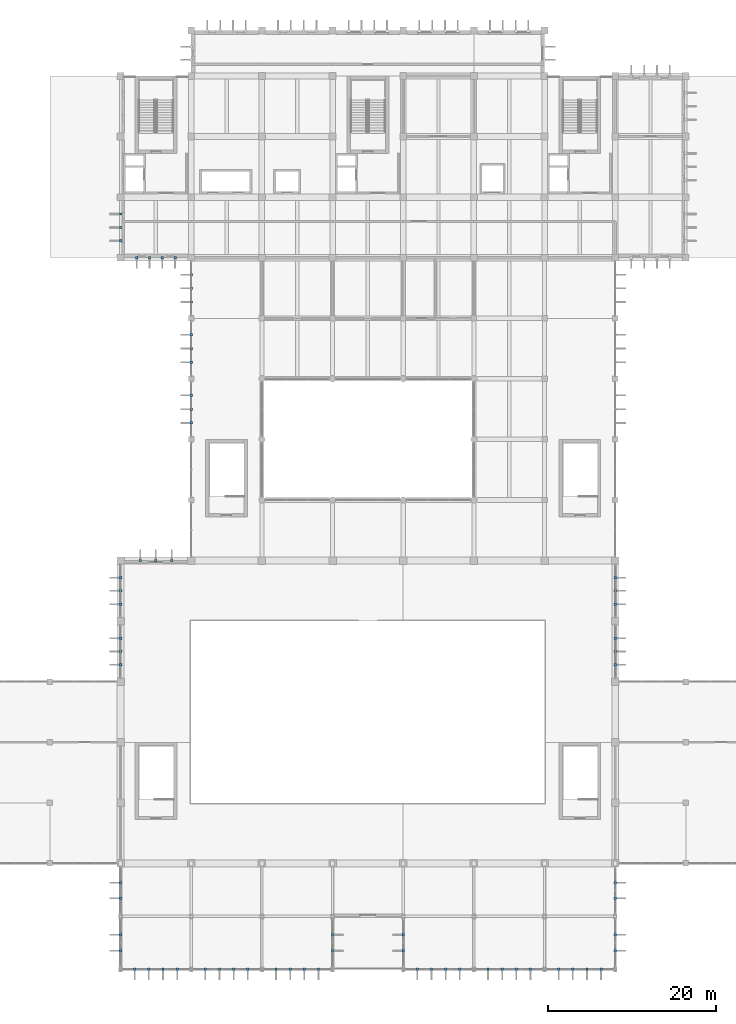
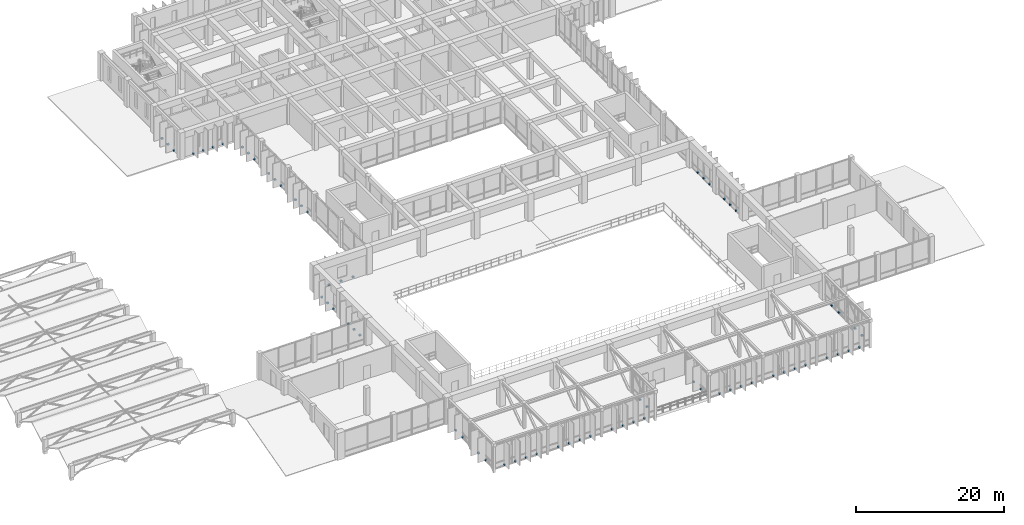
# One storey, part 33 of 40: 67 discrete accessories.
"""IFC4 building model written with IfcOpenShell, lengths in metres."""

from ifc_helpers import new_model, si_unit, direction, frame, origin, origin_2d, place, context, subcontext, project, spatial, rectangle, extrude, material, type_object, element, save


model = new_model("IFC4")

# Units and contexts
model_context = context("Model", 3, precision=1e-05, world=origin(), true_north=direction((0.0, 1.0)))
body_context = subcontext(model_context, "Body", "Model", "MODEL_VIEW")
ifc_project = project(units=[si_unit("LENGTHUNIT", "METRE"), si_unit("AREAUNIT", "SQUARE_METRE"), si_unit("VOLUMEUNIT", "CUBIC_METRE"), si_unit("PLANEANGLEUNIT", "RADIAN"), si_unit("MASSUNIT", "GRAM", prefix="KILO")], contexts=[model_context])

# Site, building, storey
site_placement = place(None, origin())
site = spatial("IfcSite", under=ifc_project, at=site_placement, CompositionType="ELEMENT")
building_placement = place(site_placement, origin())
building = spatial("IfcBuilding", under=site, at=building_placement, Name="Kenerak Square Central Library", CompositionType="ELEMENT")
storey_placement = place(building_placement, frame((0.0, 0.0, 14.39990234375)))
storey = spatial("IfcBuildingStorey", under=building, at=storey_placement, Name="L03", CompositionType="ELEMENT", Elevation=14.39990234375)

# Discrete accessories
ifc_material = material(Name="Steel S355", Category="steel")
discrete_accessory_type = type_object("IfcDiscreteAccessoryType", Name="Solar Fin Structural Cleat Bracket BRK-S355", PredefinedType="BRACKET", material=ifc_material)
for number, where, z_axis, x_axis, name in (
    (1, (58.39990234375, 40.425048828125, 0.0), (0.0, 0.0, 1.0), (0.0, 1.0, 0.0), "Solar Fin Cleat Bracket BRK-01 L03 0210"),
    (2, (58.39990234375, 42.0, 0.0), (0.0, 0.0, 1.0), (0.0, 1.0, 0.0), "Solar Fin Cleat Bracket BRK-01 L03 0211"),
    (3, (58.39990234375, 43.574951171875, 0.0), (0.0, 0.0, 1.0), (0.0, 1.0, 0.0), "Solar Fin Cleat Bracket BRK-01 L03 0212"),
    (4, (58.39990234375, 47.625, 0.0), (0.0, 0.0, 1.0), (0.0, 1.0, 0.0), "Solar Fin Cleat Bracket BRK-01 L03 0213"),
    (5, (58.39990234375, 49.199951171875, 0.0), (0.0, 0.0, 1.0), (0.0, 1.0, 0.0), "Solar Fin Cleat Bracket BRK-01 L03 0214"),
    (6, (58.39990234375, 50.77490234375, 0.0), (0.0, 0.0, 1.0), (0.0, 1.0, 0.0), "Solar Fin Cleat Bracket BRK-01 L03 0215"),
    (7, (60.72509765625, 52.800048828125, 0.0), (0.0, 0.0, 1.0), (1.0, 0.0, 0.0), "Solar Fin Cleat Bracket BRK-01 L03 0216"),
    (8, (62.60009765625, 52.800048828125, 0.0), (0.0, 0.0, 1.0), (1.0, 0.0, 0.0), "Solar Fin Cleat Bracket BRK-01 L03 0217"),
    (9, (64.47509765625, 52.800048828125, 0.0), (0.0, 0.0, 1.0), (1.0, 0.0, 0.0), "Solar Fin Cleat Bracket BRK-01 L03 0218"),
    (10, (66.800048828125, 69.16259765625, 0.0), (0.0, 0.0, 1.0), (0.0, 1.0, 0.0), "Solar Fin Cleat Bracket BRK-01 L03 0219"),
    (11, (66.800048828125, 70.800048828125, 0.0), (0.0, 0.0, 1.0), (0.0, 1.0, 0.0), "Solar Fin Cleat Bracket BRK-01 L03 0220"),
    (12, (66.800048828125, 72.4375, 0.0), (0.0, 0.0, 1.0), (0.0, 1.0, 0.0), "Solar Fin Cleat Bracket BRK-01 L03 0221"),
    (13, (66.800048828125, 76.362548828125, 0.0), (0.0, 0.0, 1.0), (0.0, 1.0, 0.0), "Solar Fin Cleat Bracket BRK-01 L03 0222"),
    (14, (66.800048828125, 78.0, 0.0), (0.0, 0.0, 1.0), (0.0, 1.0, 0.0), "Solar Fin Cleat Bracket BRK-01 L03 0223"),
    (15, (66.800048828125, 79.637451171875, 0.0), (0.0, 0.0, 1.0), (0.0, 1.0, 0.0), "Solar Fin Cleat Bracket BRK-01 L03 0224"),
    (16, (66.800048828125, 83.543701171875, 0.0), (0.0, 0.0, 1.0), (0.0, 1.0, 0.0), "Solar Fin Cleat Bracket BRK-01 L03 0225"),
    (17, (66.800048828125, 85.16259765625, 0.0), (0.0, 0.0, 1.0), (0.0, 1.0, 0.0), "Solar Fin Cleat Bracket BRK-01 L03 0226"),
    (18, (66.800048828125, 86.78125, 0.0), (0.0, 0.0, 1.0), (0.0, 1.0, 0.0), "Solar Fin Cleat Bracket BRK-01 L03 0227"),
    (19, (64.8798828125, 88.800048828125, 0.0), (0.0, 0.0, 1.0), (-1.0, 0.0, 0.0), "Solar Fin Cleat Bracket BRK-01 L03 0228"),
    (20, (63.360107421875, 88.800048828125, 0.0), (0.0, 0.0, 1.0), (-1.0, 0.0, 0.0), "Solar Fin Cleat Bracket BRK-01 L03 0229"),
    (21, (61.840087890625, 88.800048828125, 0.0), (0.0, 0.0, 1.0), (-1.0, 0.0, 0.0), "Solar Fin Cleat Bracket BRK-01 L03 0230"),
    (22, (60.320068359375, 88.800048828125, 0.0), (0.0, 0.0, 1.0), (-1.0, 0.0, 0.0), "Solar Fin Cleat Bracket BRK-01 L03 0231"),
    (23, (58.39990234375, 90.800048828125, 0.0), (0.0, 0.0, 1.0), (0.0, 1.0, 0.0), "Solar Fin Cleat Bracket BRK-01 L03 0232"),
    (24, (58.39990234375, 92.39990234375, 0.0), (0.0, 0.0, 1.0), (0.0, 1.0, 0.0), "Solar Fin Cleat Bracket BRK-01 L03 0233"),
    (25, (58.39990234375, 94.0, 0.0), (0.0, 0.0, 1.0), (0.0, 1.0, 0.0), "Solar Fin Cleat Bracket BRK-01 L03 0234"),
    (26, (117.199951171875, 50.77490234375, 0.0), (0.0, 0.0, 1.0), (0.0, -1.0, 0.0), "Solar Fin Cleat Bracket BRK-01 L03 0285"),
    (27, (117.199951171875, 49.199951171875, 0.0), (0.0, 0.0, 1.0), (0.0, -1.0, 0.0), "Solar Fin Cleat Bracket BRK-01 L03 0286"),
    (28, (117.199951171875, 47.625, 0.0), (0.0, 0.0, 1.0), (0.0, -1.0, 0.0), "Solar Fin Cleat Bracket BRK-01 L03 0287"),
    (29, (117.199951171875, 43.574951171875, 0.0), (0.0, 0.0, 1.0), (0.0, -1.0, 0.0), "Solar Fin Cleat Bracket BRK-01 L03 0288"),
    (30, (117.199951171875, 42.0, 0.0), (0.0, 0.0, 1.0), (0.0, -1.0, 0.0), "Solar Fin Cleat Bracket BRK-01 L03 0289"),
    (31, (117.199951171875, 40.425048828125, 0.0), (0.0, 0.0, 1.0), (0.0, -1.0, 0.0), "Solar Fin Cleat Bracket BRK-01 L03 0290"),
    (32, (117.199951171875, 14.5, 0.0), (0.0, 0.0, 1.0), (0.0, -1.0, 0.0), "Solar Fin Cleat Bracket BRK-01 L03 0291"),
    (33, (117.199951171875, 12.64990234375, 0.0), (0.0, 0.0, 1.0), (0.0, -1.0, 0.0), "Solar Fin Cleat Bracket BRK-01 L03 0292"),
    (34, (117.199951171875, 8.300048828125, 0.0), (0.0, 0.0, 1.0), (0.0, -1.0, 0.0), "Solar Fin Cleat Bracket BRK-01 L03 0293"),
    (35, (117.199951171875, 6.39990234375, 0.0), (0.0, 0.0, 1.0), (0.0, -1.0, 0.0), "Solar Fin Cleat Bracket BRK-01 L03 0294"),
    (36, (115.52001953125, 4.199951171875, 0.0), (0.0, 0.0, 1.0), (-1.0, 0.0, 0.0), "Solar Fin Cleat Bracket BRK-01 L03 0295"),
    (37, (113.840087890625, 4.199951171875, 0.0), (0.0, 0.0, 1.0), (-1.0, 0.0, 0.0), "Solar Fin Cleat Bracket BRK-01 L03 0296"),
    (38, (112.159912109375, 4.199951171875, 0.0), (0.0, 0.0, 1.0), (-1.0, 0.0, 0.0), "Solar Fin Cleat Bracket BRK-01 L03 0297"),
    (39, (110.47998046875, 4.199951171875, 0.0), (0.0, 0.0, 1.0), (-1.0, 0.0, 0.0), "Solar Fin Cleat Bracket BRK-01 L03 0298"),
    (40, (107.1201171875, 4.199951171875, 0.0), (0.0, 0.0, 1.0), (-1.0, 0.0, 0.0), "Solar Fin Cleat Bracket BRK-01 L03 0299"),
    (41, (105.43994140625, 4.199951171875, 0.0), (0.0, 0.0, 1.0), (-1.0, 0.0, 0.0), "Solar Fin Cleat Bracket BRK-01 L03 0300"),
    (42, (103.760009765625, 4.199951171875, 0.0), (0.0, 0.0, 1.0), (-1.0, 0.0, 0.0), "Solar Fin Cleat Bracket BRK-01 L03 0301"),
    (43, (102.080078125, 4.199951171875, 0.0), (0.0, 0.0, 1.0), (-1.0, 0.0, 0.0), "Solar Fin Cleat Bracket BRK-01 L03 0302"),
    (44, (98.719970703125, 4.199951171875, 0.0), (0.0, 0.0, 1.0), (-1.0, 0.0, 0.0), "Solar Fin Cleat Bracket BRK-01 L03 0303"),
    (45, (97.0400390625, 4.199951171875, 0.0), (0.0, 0.0, 1.0), (-1.0, 0.0, 0.0), "Solar Fin Cleat Bracket BRK-01 L03 0304"),
    (46, (95.360107421875, 4.199951171875, 0.0), (0.0, 0.0, 1.0), (-1.0, 0.0, 0.0), "Solar Fin Cleat Bracket BRK-01 L03 0305"),
    (47, (93.679931640625, 4.199951171875, 0.0), (0.0, 0.0, 1.0), (-1.0, 0.0, 0.0), "Solar Fin Cleat Bracket BRK-01 L03 0306"),
    (48, (92.0, 6.39990234375, 0.0), (0.0, 0.0, 1.0), (0.0, 1.0, 0.0), "Solar Fin Cleat Bracket BRK-01 L03 0307"),
    (49, (92.0, 8.300048828125, 0.0), (0.0, 0.0, 1.0), (0.0, 1.0, 0.0), "Solar Fin Cleat Bracket BRK-01 L03 0308"),
    (50, (83.60009765625, 8.300048828125, 0.0), (0.0, 0.0, 1.0), (0.0, -1.0, 0.0), "Solar Fin Cleat Bracket BRK-01 L03 0309"),
    (51, (83.60009765625, 6.39990234375, 0.0), (0.0, 0.0, 1.0), (0.0, -1.0, 0.0), "Solar Fin Cleat Bracket BRK-01 L03 0310"),
    (52, (81.919921875, 4.199951171875, 0.0), (0.0, 0.0, 1.0), (-1.0, 0.0, 0.0), "Solar Fin Cleat Bracket BRK-01 L03 0311"),
    (53, (80.239990234375, 4.199951171875, 0.0), (0.0, 0.0, 1.0), (-1.0, 0.0, 0.0), "Solar Fin Cleat Bracket BRK-01 L03 0312"),
    (54, (78.56005859375, 4.199951171875, 0.0), (0.0, 0.0, 1.0), (-1.0, 0.0, 0.0), "Solar Fin Cleat Bracket BRK-01 L03 0313"),
    (55, (76.8798828125, 4.199951171875, 0.0), (0.0, 0.0, 1.0), (-1.0, 0.0, 0.0), "Solar Fin Cleat Bracket BRK-01 L03 0314"),
    (56, (73.52001953125, 4.199951171875, 0.0), (0.0, 0.0, 1.0), (-1.0, 0.0, 0.0), "Solar Fin Cleat Bracket BRK-01 L03 0315"),
    (57, (71.840087890625, 4.199951171875, 0.0), (0.0, 0.0, 1.0), (-1.0, 0.0, 0.0), "Solar Fin Cleat Bracket BRK-01 L03 0316"),
    (58, (70.159912109375, 4.199951171875, 0.0), (0.0, 0.0, 1.0), (-1.0, 0.0, 0.0), "Solar Fin Cleat Bracket BRK-01 L03 0317"),
    (59, (68.47998046875, 4.199951171875, 0.0), (0.0, 0.0, 1.0), (-1.0, 0.0, 0.0), "Solar Fin Cleat Bracket BRK-01 L03 0318"),
    (60, (65.1201171875, 4.199951171875, 0.0), (0.0, 0.0, 1.0), (-1.0, 0.0, 0.0), "Solar Fin Cleat Bracket BRK-01 L03 0319"),
    (61, (63.43994140625, 4.199951171875, 0.0), (0.0, 0.0, 1.0), (-1.0, 0.0, 0.0), "Solar Fin Cleat Bracket BRK-01 L03 0320"),
    (62, (61.760009765625, 4.199951171875, 0.0), (0.0, 0.0, 1.0), (-1.0, 0.0, 0.0), "Solar Fin Cleat Bracket BRK-01 L03 0321"),
    (63, (60.080078125, 4.199951171875, 0.0), (0.0, 0.0, 1.0), (-1.0, 0.0, 0.0), "Solar Fin Cleat Bracket BRK-01 L03 0322"),
    (64, (58.39990234375, 6.39990234375, 0.0), (0.0, 0.0, 1.0), (0.0, 1.0, 0.0), "Solar Fin Cleat Bracket BRK-01 L03 0323"),
    (65, (58.39990234375, 8.300048828125, 0.0), (0.0, 0.0, 1.0), (0.0, 1.0, 0.0), "Solar Fin Cleat Bracket BRK-01 L03 0324"),
    (66, (58.39990234375, 12.64990234375, 0.0), (0.0, 0.0, 1.0), (0.0, 1.0, 0.0), "Solar Fin Cleat Bracket BRK-01 L03 0325"),
    (67, (58.39990234375, 14.5, 0.0), (0.0, 0.0, 1.0), (0.0, 1.0, 0.0), "Solar Fin Cleat Bracket BRK-01 L03 0326"),
):
    element("IfcDiscreteAccessory", number, at=place(storey_placement, frame(where, z_axis=z_axis, x_axis=x_axis)), inside=storey, type_object=discrete_accessory_type, Name=name, PredefinedType="BRACKET", context=body_context, shape_type="SweptSolid", body=[
        extrude(rectangle(XDim=0.280029296875, YDim=0.280029296875, at=origin_2d()), origin(), (0.0, 0.0, 1.0), 0.239990234375),
    ])

save(model, "model.ifc")
